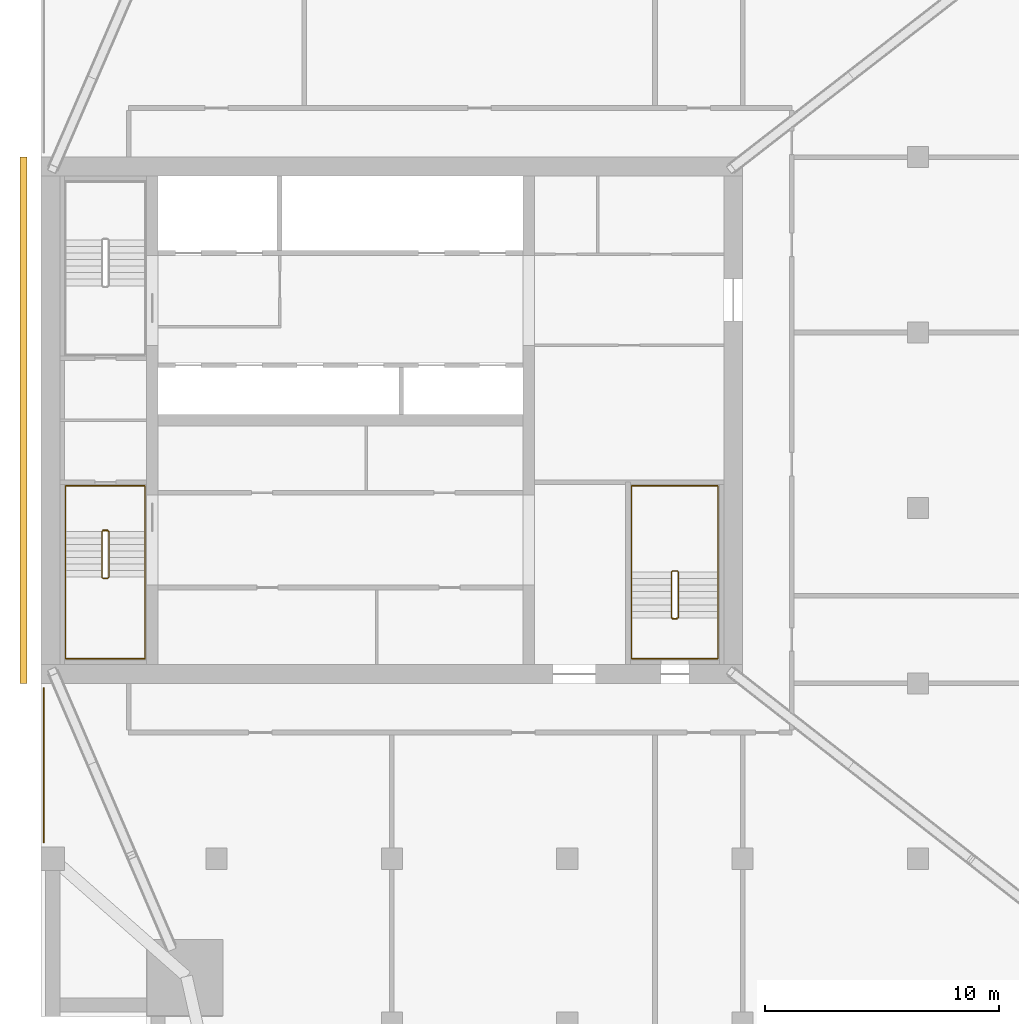
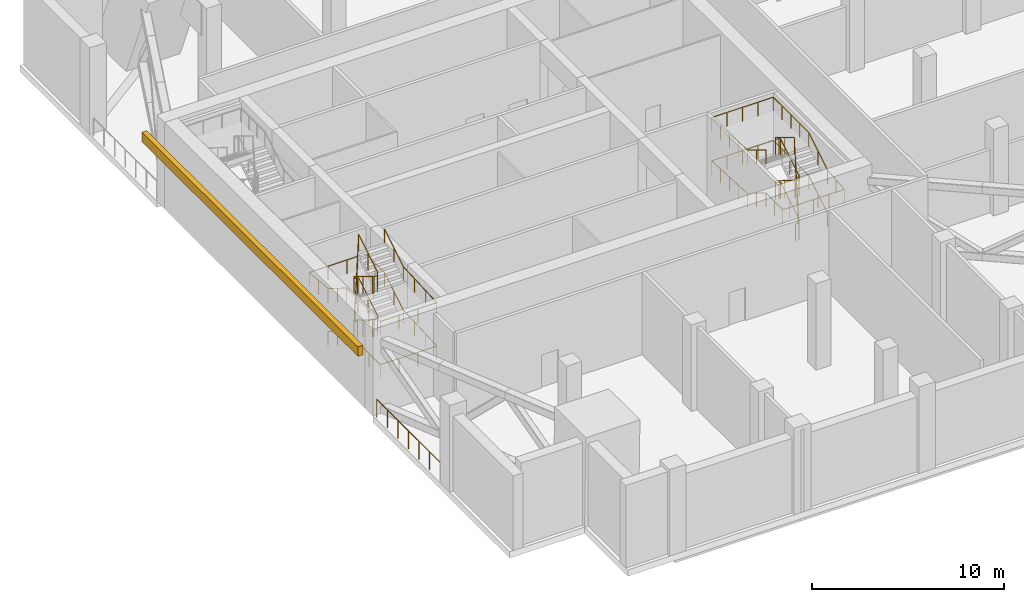
# One storey, part 8 of 9: 5 railings, 1 covering.
"""IFC4 building model written with IfcOpenShell, lengths in metres."""

import ifcopenshell
import ifcopenshell.guid

model = None  # the IFC model being written
_history = None  # IfcOwnerHistory: only IFC2X3 demands one
_inside = {}  # id of a spatial element -> (the spatial element, [elements in it])
_under = {}  # id of a project, library or spatial element -> (it, [spatial elements below it])
_declared = {}  # id of a project -> (the project, [libraries it declares])
_typed = {}  # id of a type object -> (the type object, [elements of that type])
_made_of = {}  # id of a material, layer set ... -> (it, [elements and type objects made of it])


def new_model(schema):
    """Start an empty IFC model of exactly this schema.

    Asked for "IFC4X3", IfcOpenShell would pick the latest addendum, in which some entities
    have other attributes; the version numbers below select the first issue.
    IFC2X3 requires an IfcOwnerHistory on every rooted entity: one is made here for all.
    """
    global model, _history
    if schema == "IFC4X3":
        model = ifcopenshell.file(schema_version=(4, 3, 0, 0))
    else:
        model = ifcopenshell.file(schema=schema)
    _inside.clear()
    _under.clear()
    _declared.clear()
    _typed.clear()
    _made_of.clear()
    _history = None
    if model.schema == "IFC2X3":
        org = make("IfcOrganization", Name="unknown")
        user = make(
            "IfcPersonAndOrganization",
            ThePerson=make("IfcPerson", FamilyName="unknown"),
            TheOrganization=org,
        )
        app = make(
            "IfcApplication",
            ApplicationDeveloper=org,
            Version="unknown",
            ApplicationFullName="unknown",
            ApplicationIdentifier="unknown",
        )
        _history = make(
            "IfcOwnerHistory",
            OwningUser=user,
            OwningApplication=app,
            ChangeAction="ADDED",
            CreationDate=0,
        )
    return model


def make(cls, **values):
    """One entity of the class cls with the attributes given. An attribute that is None is left unset."""
    return model.create_entity(
        cls, **{name: value for name, value in values.items() if value is not None}
    )


def rooted(cls, **values):
    """An entity with a GlobalId (a new one), such as an element, a storey or a relation."""
    return make(cls, GlobalId=ifcopenshell.guid.new(), OwnerHistory=_history, **values)


def si_unit(unit_type, name, prefix=None):
    """IfcSIUnit, for example si_unit("LENGTHUNIT", "METRE", prefix="MILLI")."""
    return make("IfcSIUnit", UnitType=unit_type, Prefix=prefix, Name=name)


def assignment(units):
    """IfcUnitAssignment: the units of a project."""
    return None if units is None else make("IfcUnitAssignment", Units=units)


def point(xyz):
    """IfcCartesianPoint."""
    return None if xyz is None else make("IfcCartesianPoint", Coordinates=xyz)


def direction(xyz):
    """IfcDirection."""
    return None if xyz is None else make("IfcDirection", DirectionRatios=xyz)


def frame(location, z_axis=None, x_axis=None):
    """IfcAxis2Placement3D, a coordinate frame: its origin and axes. An axis left out is left unset."""
    return make(
        "IfcAxis2Placement3D",
        Location=point(location),
        Axis=direction(z_axis),
        RefDirection=direction(x_axis),
    )


def frame_2d(location, x_axis=None):
    """IfcAxis2Placement2D, a coordinate frame in the plane: its origin and x axis."""
    return make(
        "IfcAxis2Placement2D", Location=point(location), RefDirection=direction(x_axis)
    )


def origin():
    """The frame at (0, 0, 0) with its axes left unset."""
    return frame((0.0, 0.0, 0.0))


def origin_2d():
    """The frame at (0, 0) in the plane with its x axis left unset."""
    return frame_2d((0.0, 0.0))


def place(relative_to, where):
    """IfcLocalPlacement: puts the frame where relative to a parent placement (None: the world)."""
    return make(
        "IfcLocalPlacement", PlacementRelTo=relative_to, RelativePlacement=where
    )


def context(
    kind, dimensions, precision=None, world=None, true_north=None, identifier=None
):
    """IfcGeometricRepresentationContext, for example the 3D "Model" context."""
    return make(
        "IfcGeometricRepresentationContext",
        ContextIdentifier=identifier,
        ContextType=kind,
        CoordinateSpaceDimension=dimensions,
        Precision=precision,
        WorldCoordinateSystem=world,
        TrueNorth=true_north,
    )


def subcontext(parent, identifier, kind, view, scale=None):
    """IfcGeometricRepresentationSubContext, for example "Body" below "Model"."""
    return make(
        "IfcGeometricRepresentationSubContext",
        ContextIdentifier=identifier,
        ContextType=kind,
        ParentContext=parent,
        TargetScale=scale,
        TargetView=view,
    )


def project(units=None, contexts=None):
    """IfcProject with its units and contexts."""
    return rooted(
        "IfcProject",
        Name="project",
        RepresentationContexts=contexts,
        UnitsInContext=assignment(units),
    )


def spatial(cls, under=None, at=None, **own):
    """A site, building, storey or space (cls), placed at a placement, below another one or the project."""
    s = rooted(cls, ObjectPlacement=at, **own)
    if under is not None:
        _under.setdefault(under.id(), (under, []))[1].append(s)
    return s


def polyline(points):
    """IfcPolyline through the points."""
    return make("IfcPolyline", Points=[point(p) for p in points])


def profile(cls, at=None, kind="AREA", **sizes):
    """A parametric profile (cls). Its sizes go by their IFC names, for example OverallWidth=200.0."""
    return make(cls, ProfileType=kind, Position=at, **sizes)


def circle(**sizes):
    """IfcCircleProfileDef."""
    return profile("IfcCircleProfileDef", **sizes)


def outline(outer, holes=None, kind="AREA"):
    """IfcArbitraryClosedProfileDef: a profile drawn as a closed curve; with holes, ...WithVoids."""
    if holes is None:
        return make("IfcArbitraryClosedProfileDef", ProfileType=kind, OuterCurve=outer)
    return make(
        "IfcArbitraryProfileDefWithVoids",
        ProfileType=kind,
        OuterCurve=outer,
        InnerCurves=holes,
    )


def extrude(swept, where, along, depth):
    """IfcExtrudedAreaSolid: the profile swept, set in the frame where, extruded along a direction by depth."""
    return make(
        "IfcExtrudedAreaSolid",
        SweptArea=swept,
        Position=where,
        ExtrudedDirection=direction(along),
        Depth=depth,
    )


def shape(context_of_items, identifier, shape_type, items):
    """IfcShapeRepresentation: the items that make up one representation, for example the "Body"."""
    return make(
        "IfcShapeRepresentation",
        ContextOfItems=context_of_items,
        RepresentationIdentifier=identifier,
        RepresentationType=shape_type,
        Items=items,
    )


def material(Name=None, Category=None):
    """IfcMaterial."""
    return make("IfcMaterial", Name=Name, Category=Category)


def layer(
    of_material, thickness, ventilated=None, Name=None, Category=None, Priority=None
):
    """IfcMaterialLayer: one layer of a wall or slab, of a material (None: an air gap)."""
    return make(
        "IfcMaterialLayer",
        Material=of_material,
        LayerThickness=thickness,
        IsVentilated=ventilated,
        Name=Name,
        Category=Category,
        Priority=Priority,
    )


def layer_set(layers, Name=None):
    """IfcMaterialLayerSet."""
    return make("IfcMaterialLayerSet", MaterialLayers=layers, LayerSetName=Name)


def made_of(thing, what):
    """Note that an element or type object is made of a material, layer set ...; save() writes the relation."""
    if what is not None:
        _made_of.setdefault(what.id(), (what, []))[1].append(thing)
    return thing


def type_object(cls, material=None, **own):
    """A type object (cls), such as IfcWallType, which elements share."""
    return made_of(rooted(cls, **own), material)


def element(
    cls,
    number,
    at=None,
    inside=None,
    cuts=None,
    type_object=None,
    material=None,
    context=None,
    identifier="Body",
    shape_type=None,
    held_by="IfcProductDefinitionShape",
    body=None,
    shapes=None,
    **own,
):
    """One element of the class cls, such as IfcWall. Its Tag is "e" and its number.

    at: its placement. inside: the storey or other place that contains it. cuts: it is an
    opening in that element (IfcRelVoidsElement). A single representation is given by context,
    identifier, shape_type and body (its items); several are given by shapes. held_by: the class
    of the entity that holds the representations. save() writes the other relations.
    """
    e = rooted(cls, Tag="e%d" % number, ObjectPlacement=at, **own)
    if body is not None:
        shapes = [shape(context, identifier, shape_type, body)]
    if shapes is not None:
        e.Representation = make(held_by, Representations=shapes)
    if inside is not None:
        _inside.setdefault(inside.id(), (inside, []))[1].append(e)
    if cuts is not None:
        rooted(
            "IfcRelVoidsElement", RelatingBuildingElement=cuts, RelatedOpeningElement=e
        )
    if type_object is not None:
        _typed.setdefault(type_object.id(), (type_object, []))[1].append(e)
    return made_of(e, material)


def aggregate(whole, parts):
    """IfcRelAggregates: a whole, such as a stair, and the parts it consists of."""
    return rooted("IfcRelAggregates", RelatingObject=whole, RelatedObjects=parts)


def save(model, path):
    """Write the relations noted so far, then the file.

    IfcRelAggregates (storeys below a building ...), IfcRelContainedInSpatialStructure (elements
    in a storey), IfcRelDefinesByType, IfcRelAssociatesMaterial and IfcRelDeclares: one each for
    every whole, place, type object, material and project.
    """
    for whole, parts in _under.values():
        aggregate(whole, parts)
    for where, things in _inside.values():
        rooted(
            "IfcRelContainedInSpatialStructure",
            RelatedElements=things,
            RelatingStructure=where,
        )
    for kind, things in _typed.values():
        rooted("IfcRelDefinesByType", RelatedObjects=things, RelatingType=kind)
    for what, things in _made_of.values():
        rooted("IfcRelAssociatesMaterial", RelatedObjects=things, RelatingMaterial=what)
    for by, libraries in _declared.values():
        rooted("IfcRelDeclares", RelatingContext=by, RelatedDefinitions=libraries)
    model.write(path)


model = new_model("IFC4")

# Units and contexts
model_context = context("Model", 3, precision=1e-05, world=origin(), true_north=direction((0.0, 1.0)))
body_context = subcontext(model_context, "Body", "Model", "MODEL_VIEW")
ifc_project = project(units=[si_unit("LENGTHUNIT", "METRE"), si_unit("AREAUNIT", "SQUARE_METRE"), si_unit("VOLUMEUNIT", "CUBIC_METRE"), si_unit("PLANEANGLEUNIT", "RADIAN"), si_unit("MASSUNIT", "GRAM", prefix="KILO")], contexts=[model_context])

# Site, building, storey
site_placement = place(None, origin())
site = spatial("IfcSite", under=ifc_project, at=site_placement, CompositionType="ELEMENT")
building_placement = place(site_placement, origin())
building = spatial("IfcBuilding", under=site, at=building_placement, Name="Tamorin Gate", CompositionType="ELEMENT")
storey_placement = place(building_placement, frame((0.0, 0.0, 214.199951171875)))
storey = spatial("IfcBuildingStorey", under=building, at=storey_placement, Name="L53", CompositionType="ELEMENT", Elevation=214.199951171875)

# Covering
ifc_material_1 = material(Name="Precast concrete C40/50", Category="concrete")
ifc_layer = layer(ifc_material_1, 0.300048828125)
ifc_layer_set = layer_set([ifc_layer], Name="Spine cornice 300")
covering_type = type_object("IfcCoveringType", Name="Spine cornice 300", PredefinedType="CLADDING", material=ifc_layer_set)
covering_placement = place(storey_placement, frame((0.0, 0.0, 4.10009765625)))
element("IfcCovering", 1, at=covering_placement, inside=storey, type_object=covering_type, Name="Spine cornice", PredefinedType="CLADDING", context=body_context, shape_type="SweptSolid", body=[
    extrude(outline(polyline([(29.10009765625, 60.0), (29.39990234375, 60.0), (29.39990234375, 82.5), (29.10009765625, 82.5), (29.10009765625, 60.0)])), origin(), (0.0, 0.0, 1.0), 0.599853515625),
])

# Railings
ifc_material_2 = material(Name="Painted steel balustrade", Category="steel")
railing_type_1 = type_object("IfcRailingType", Name="Stair guard 1100", PredefinedType="GUARDRAIL", material=ifc_material_2)
railing_1_placement = place(storey_placement, frame((32.60009765625, 66.5, 0.171875)))
element("IfcRailing", 2, at=railing_1_placement, inside=storey, type_object=railing_type_1, Name="L53 ST1 stair guard 1", PredefinedType="GUARDRAIL", context=body_context, shape_type="SweptSolid", body=[
    extrude(circle(Radius=0.02392578125, at=origin_2d()), frame((0.0, 0.0, 1.076171875), z_axis=(0.0, -0.852240978134, 0.523149419562), x_axis=(1.0, 0.0, 0.0)), (0.0, 0.0, 1.0), 2.2998046875),
    extrude(circle(Radius=0.02392578125, at=origin_2d()), frame((0.0, -1.9599609375, 2.279296875), z_axis=(0.705375805398, -0.708833529934, 0.0), x_axis=(0.708833529934, 0.705375805398, 0.0)), (0.0, 0.0, 1.0), 0.070556640625),
    extrude(circle(Radius=0.02392578125, at=origin_2d()), frame((0.0498046875, -2.010009765625, 2.279296875), z_axis=(1.0, 0.0, 0.0), x_axis=(0.0, 1.0, 0.0)), (0.0, 0.0, 1.0), 0.2001953125),
    extrude(circle(Radius=0.02392578125, at=origin_2d()), frame((0.25, -2.010009765625, 2.279296875), z_axis=(0.268036860282, 0.26935076646, 0.924989949209), x_axis=(-0.708833529934, 0.705375805398, 0.0)), (0.0, 0.0, 1.0), 0.185791015625),
    extrude(circle(Radius=0.02392578125, at=origin_2d()), frame((0.2998046875, -1.9599609375, 2.451171875), z_axis=(0.0, 0.852240978134, 0.523149419562), x_axis=(-1.0, 0.0, 0.0)), (0.0, 0.0, 1.0), 2.2998046875),
    extrude(circle(Radius=0.02392578125, at=origin_2d()), frame((0.2998046875, 0.0, 3.654296875), z_axis=(-0.98054382908, 0.196300278283, 0.0), x_axis=(-0.196300278283, -0.98054382908, 0.0)), (0.0, 0.0, 1.0), 0.2548828125),
    extrude(circle(Radius=0.02392578125, at=origin_2d()), frame((0.0498046875, 0.050048828125, 3.654296875), z_axis=(1.0, 0.0, 0.0), x_axis=(0.0, 1.0, 0.0)), (0.0, 0.0, 1.0), 0.2001953125),
    extrude(circle(Radius=0.02392578125, at=origin_2d()), frame((0.25, 0.050048828125, 3.654296875), z_axis=(-0.81305262559, -0.162769324459, 0.558973680093), x_axis=(0.196300278283, -0.98054382908, 0.0)), (0.0, 0.0, 1.0), 0.307373046875),
    extrude(circle(Radius=0.02392578125, at=origin_2d()), frame((0.0, 0.0, 3.826171875), z_axis=(0.0, -0.852240978134, 0.523149419562), x_axis=(1.0, 0.0, 0.0)), (0.0, 0.0, 1.0), 2.2998046875),
    extrude(circle(Radius=0.02392578125, at=origin_2d()), frame((0.0, -1.9599609375, 5.029296875), z_axis=(0.705375805398, -0.708833529934, 0.0), x_axis=(0.708833529934, 0.705375805398, 0.0)), (0.0, 0.0, 1.0), 0.070556640625),
    extrude(circle(Radius=0.02392578125, at=origin_2d()), frame((0.0498046875, -2.010009765625, 5.029296875), z_axis=(1.0, 0.0, 0.0), x_axis=(0.0, 1.0, 0.0)), (0.0, 0.0, 1.0), 0.2001953125),
    extrude(circle(Radius=0.02392578125, at=origin_2d()), frame((0.25, -2.010009765625, 5.029296875), z_axis=(0.268036860282, 0.26935076646, 0.924989949209), x_axis=(-0.708833529934, 0.705375805398, 0.0)), (0.0, 0.0, 1.0), 0.185791015625),
    extrude(circle(Radius=0.02392578125, at=origin_2d()), frame((0.2998046875, -1.9599609375, 5.201171875), z_axis=(0.0, 0.852240978134, 0.523149419562), x_axis=(-1.0, 0.0, 0.0)), (0.0, 0.0, 1.0), 2.2998046875),
    extrude(circle(Radius=0.02392578125, at=origin_2d()), frame((0.2998046875, 0.0, 6.404296875), z_axis=(-0.045405784895, 0.009090025296, -0.998927267692), x_axis=(-0.196300278283, -0.98054382908, 0.0)), (0.0, 0.0, 1.0), 5.505859375),
    extrude(circle(Radius=0.02392578125, at=origin_2d()), frame((0.0498046875, 0.050048828125, 0.904296875), z_axis=(1.0, 0.0, 0.0), x_axis=(0.0, 1.0, 0.0)), (0.0, 0.0, 1.0), 0.2001953125),
    extrude(circle(Radius=0.02099609375, at=origin_2d()), origin(), (0.0, 0.0, 1.0), 1.052001953125),
    extrude(circle(Radius=0.02099609375, at=origin_2d()), frame((0.0, -0.97998046875, 0.6015625)), (0.0, 0.0, 1.0), 1.052001953125),
    extrude(circle(Radius=0.02099609375, at=origin_2d()), frame((0.0, -1.9599609375, 1.203125)), (0.0, 0.0, 1.0), 1.052001953125),
    extrude(circle(Radius=0.02099609375, at=origin_2d()), frame((0.0498046875, -2.010009765625, 1.203125)), (0.0, 0.0, 1.0), 1.052001953125),
    extrude(circle(Radius=0.02099609375, at=origin_2d()), frame((0.25, -2.010009765625, 1.203125)), (0.0, 0.0, 1.0), 1.052001953125),
    extrude(circle(Radius=0.02099609375, at=origin_2d()), frame((0.2998046875, -1.9599609375, 1.375)), (0.0, 0.0, 1.0), 1.052001953125),
    extrude(circle(Radius=0.02099609375, at=origin_2d()), frame((0.2998046875, -0.97998046875, 1.9765625)), (0.0, 0.0, 1.0), 1.052001953125),
    extrude(circle(Radius=0.02099609375, at=origin_2d()), frame((0.2998046875, 0.0, 2.578125)), (0.0, 0.0, 1.0), 1.052001953125),
    extrude(circle(Radius=0.02099609375, at=origin_2d()), frame((0.0498046875, 0.050048828125, 2.578125)), (0.0, 0.0, 1.0), 1.052001953125),
    extrude(circle(Radius=0.02099609375, at=origin_2d()), frame((0.25, 0.050048828125, 2.578125)), (0.0, 0.0, 1.0), 1.052001953125),
    extrude(circle(Radius=0.02099609375, at=origin_2d()), frame((0.0, 0.0, 2.75)), (0.0, 0.0, 1.0), 1.052001953125),
    extrude(circle(Radius=0.02099609375, at=origin_2d()), frame((0.0, -0.97998046875, 3.3515625)), (0.0, 0.0, 1.0), 1.052001953125),
    extrude(circle(Radius=0.02099609375, at=origin_2d()), frame((0.0, -1.9599609375, 3.953125)), (0.0, 0.0, 1.0), 1.052001953125),
    extrude(circle(Radius=0.02099609375, at=origin_2d()), frame((0.0498046875, -2.010009765625, 3.953125)), (0.0, 0.0, 1.0), 1.052001953125),
    extrude(circle(Radius=0.02099609375, at=origin_2d()), frame((0.25, -2.010009765625, 3.953125)), (0.0, 0.0, 1.0), 1.052001953125),
    extrude(circle(Radius=0.02099609375, at=origin_2d()), frame((0.2998046875, -1.9599609375, 4.125)), (0.0, 0.0, 1.0), 1.052001953125),
    extrude(circle(Radius=0.02099609375, at=origin_2d()), frame((0.2998046875, -0.97998046875, 4.7265625)), (0.0, 0.0, 1.0), 1.052001953125),
    extrude(circle(Radius=0.02099609375, at=origin_2d()), frame((0.2998046875, 0.0, 5.328125)), (0.0, 0.0, 1.0), 1.052001953125),
    extrude(circle(Radius=0.02099609375, at=origin_2d()), frame((0.249755859375, 0.010009765625, 4.22802734375)), (0.0, 0.0, 1.0), 1.052001953125),
    extrude(circle(Radius=0.02099609375, at=origin_2d()), frame((0.19970703125, 0.02001953125, 3.128173828125)), (0.0, 0.0, 1.0), 1.052001953125),
    extrude(circle(Radius=0.02099609375, at=origin_2d()), frame((0.14990234375, 0.030029296875, 2.028076171875)), (0.0, 0.0, 1.0), 1.052001953125),
    extrude(circle(Radius=0.02099609375, at=origin_2d()), frame((0.099853515625, 0.0400390625, 0.92822265625)), (0.0, 0.0, 1.0), 1.052001953125),
    extrude(circle(Radius=0.02099609375, at=origin_2d()), frame((0.0498046875, 0.050048828125, -0.171875)), (0.0, 0.0, 1.0), 1.052001953125),
    extrude(circle(Radius=0.02099609375, at=origin_2d()), frame((0.25, 0.050048828125, -0.171875)), (0.0, 0.0, 1.0), 1.052001953125),
])
railing_2_placement = place(storey_placement, frame((57.25, 62.800048828125, 0.171875)))
element("IfcRailing", 3, at=railing_2_placement, inside=storey, type_object=railing_type_1, Name="L53 ST3 stair guard 1", PredefinedType="GUARDRAIL", context=body_context, shape_type="SweptSolid", body=[
    extrude(circle(Radius=0.02392578125, at=origin_2d()), frame((0.0, 0.0, 1.076171875), z_axis=(0.0, 0.852240978134, 0.523149419562), x_axis=(-1.0, 0.0, 0.0)), (0.0, 0.0, 1.0), 2.2998046875),
    extrude(circle(Radius=0.02392578125, at=origin_2d()), frame((0.0, 1.9599609375, 2.279296875), z_axis=(-0.707106781187, 0.707106781187, 0.0), x_axis=(-0.707106781187, -0.707106781187, 0.0)), (0.0, 0.0, 1.0), 0.07080078125),
    extrude(circle(Radius=0.02392578125, at=origin_2d()), frame((-0.050048828125, 2.010009765625, 2.279296875), z_axis=(-1.0, 0.0, 0.0), x_axis=(0.0, -1.0, 0.0)), (0.0, 0.0, 1.0), 0.199951171875),
    extrude(circle(Radius=0.02392578125, at=origin_2d()), frame((-0.25, 2.010009765625, 2.279296875), z_axis=(-0.269255725606, -0.269255725606, 0.92466356501), x_axis=(0.707106781187, -0.707106781187, 0.0)), (0.0, 0.0, 1.0), 0.185791015625),
    extrude(circle(Radius=0.02392578125, at=origin_2d()), frame((-0.300048828125, 1.9599609375, 2.451171875), z_axis=(0.0, -0.852240978134, 0.523149419562), x_axis=(1.0, 0.0, 0.0)), (0.0, 0.0, 1.0), 2.2998046875),
    extrude(circle(Radius=0.02392578125, at=origin_2d()), frame((-0.300048828125, 0.0, 3.654296875), z_axis=(0.98054382908, -0.196300278283, 0.0), x_axis=(0.196300278283, 0.98054382908, 0.0)), (0.0, 0.0, 1.0), 0.2548828125),
    extrude(circle(Radius=0.02392578125, at=origin_2d()), frame((-0.050048828125, -0.050048828125, 3.654296875), z_axis=(-1.0, 0.0, 0.0), x_axis=(0.0, -1.0, 0.0)), (0.0, 0.0, 1.0), 0.199951171875),
    extrude(circle(Radius=0.02392578125, at=origin_2d()), frame((-0.25, -0.050048828125, 3.654296875), z_axis=(0.81305262559, 0.162769324459, 0.558973680093), x_axis=(-0.196300278283, 0.98054382908, 0.0)), (0.0, 0.0, 1.0), 0.307373046875),
    extrude(circle(Radius=0.02392578125, at=origin_2d()), frame((0.0, 0.0, 3.826171875), z_axis=(0.0, 0.852240978134, 0.523149419562), x_axis=(-1.0, 0.0, 0.0)), (0.0, 0.0, 1.0), 2.2998046875),
    extrude(circle(Radius=0.02392578125, at=origin_2d()), frame((0.0, 1.9599609375, 5.029296875), z_axis=(-0.707106781187, 0.707106781187, 0.0), x_axis=(-0.707106781187, -0.707106781187, 0.0)), (0.0, 0.0, 1.0), 0.07080078125),
    extrude(circle(Radius=0.02392578125, at=origin_2d()), frame((-0.050048828125, 2.010009765625, 5.029296875), z_axis=(-1.0, 0.0, 0.0), x_axis=(0.0, -1.0, 0.0)), (0.0, 0.0, 1.0), 0.199951171875),
    extrude(circle(Radius=0.02392578125, at=origin_2d()), frame((-0.25, 2.010009765625, 5.029296875), z_axis=(-0.269255725606, -0.269255725606, 0.92466356501), x_axis=(0.707106781187, -0.707106781187, 0.0)), (0.0, 0.0, 1.0), 0.185791015625),
    extrude(circle(Radius=0.02392578125, at=origin_2d()), frame((-0.300048828125, 1.9599609375, 5.201171875), z_axis=(0.0, -0.852240978134, 0.523149419562), x_axis=(1.0, 0.0, 0.0)), (0.0, 0.0, 1.0), 2.2998046875),
    extrude(circle(Radius=0.02392578125, at=origin_2d()), frame((-0.300048828125, 0.0, 6.404296875), z_axis=(0.045405784895, -0.009090025296, -0.998927267692), x_axis=(0.196300278283, 0.98054382908, 0.0)), (0.0, 0.0, 1.0), 5.505859375),
    extrude(circle(Radius=0.02392578125, at=origin_2d()), frame((-0.050048828125, -0.050048828125, 0.904296875), z_axis=(-1.0, 0.0, 0.0), x_axis=(0.0, -1.0, 0.0)), (0.0, 0.0, 1.0), 0.199951171875),
    extrude(circle(Radius=0.02099609375, at=origin_2d()), origin(), (0.0, 0.0, 1.0), 1.052001953125),
    extrude(circle(Radius=0.02099609375, at=origin_2d()), frame((0.0, 0.97998046875, 0.6015625)), (0.0, 0.0, 1.0), 1.052001953125),
    extrude(circle(Radius=0.02099609375, at=origin_2d()), frame((0.0, 1.9599609375, 1.203125)), (0.0, 0.0, 1.0), 1.052001953125),
    extrude(circle(Radius=0.02099609375, at=origin_2d()), frame((-0.050048828125, 2.010009765625, 1.203125)), (0.0, 0.0, 1.0), 1.052001953125),
    extrude(circle(Radius=0.02099609375, at=origin_2d()), frame((-0.25, 2.010009765625, 1.203125)), (0.0, 0.0, 1.0), 1.052001953125),
    extrude(circle(Radius=0.02099609375, at=origin_2d()), frame((-0.300048828125, 1.9599609375, 1.375)), (0.0, 0.0, 1.0), 1.052001953125),
    extrude(circle(Radius=0.02099609375, at=origin_2d()), frame((-0.300048828125, 0.97998046875, 1.9765625)), (0.0, 0.0, 1.0), 1.052001953125),
    extrude(circle(Radius=0.02099609375, at=origin_2d()), frame((-0.300048828125, 0.0, 2.578125)), (0.0, 0.0, 1.0), 1.052001953125),
    extrude(circle(Radius=0.02099609375, at=origin_2d()), frame((-0.050048828125, -0.050048828125, 2.578125)), (0.0, 0.0, 1.0), 1.052001953125),
    extrude(circle(Radius=0.02099609375, at=origin_2d()), frame((-0.25, -0.050048828125, 2.578125)), (0.0, 0.0, 1.0), 1.052001953125),
    extrude(circle(Radius=0.02099609375, at=origin_2d()), frame((0.0, 0.0, 2.75)), (0.0, 0.0, 1.0), 1.052001953125),
    extrude(circle(Radius=0.02099609375, at=origin_2d()), frame((0.0, 0.97998046875, 3.3515625)), (0.0, 0.0, 1.0), 1.052001953125),
    extrude(circle(Radius=0.02099609375, at=origin_2d()), frame((0.0, 1.9599609375, 3.953125)), (0.0, 0.0, 1.0), 1.052001953125),
    extrude(circle(Radius=0.02099609375, at=origin_2d()), frame((-0.050048828125, 2.010009765625, 3.953125)), (0.0, 0.0, 1.0), 1.052001953125),
    extrude(circle(Radius=0.02099609375, at=origin_2d()), frame((-0.25, 2.010009765625, 3.953125)), (0.0, 0.0, 1.0), 1.052001953125),
    extrude(circle(Radius=0.02099609375, at=origin_2d()), frame((-0.300048828125, 1.9599609375, 4.125)), (0.0, 0.0, 1.0), 1.052001953125),
    extrude(circle(Radius=0.02099609375, at=origin_2d()), frame((-0.300048828125, 0.97998046875, 4.7265625)), (0.0, 0.0, 1.0), 1.052001953125),
    extrude(circle(Radius=0.02099609375, at=origin_2d()), frame((-0.300048828125, 0.0, 5.328125)), (0.0, 0.0, 1.0), 1.052001953125),
    extrude(circle(Radius=0.02099609375, at=origin_2d()), frame((-0.25, -0.010009765625, 4.22802734375)), (0.0, 0.0, 1.0), 1.052001953125),
    extrude(circle(Radius=0.02099609375, at=origin_2d()), frame((-0.199951171875, -0.02001953125, 3.128173828125)), (0.0, 0.0, 1.0), 1.052001953125),
    extrude(circle(Radius=0.02099609375, at=origin_2d()), frame((-0.150146484375, -0.030029296875, 2.028076171875)), (0.0, 0.0, 1.0), 1.052001953125),
    extrude(circle(Radius=0.02099609375, at=origin_2d()), frame((-0.10009765625, -0.0400390625, 0.92822265625)), (0.0, 0.0, 1.0), 1.052001953125),
    extrude(circle(Radius=0.02099609375, at=origin_2d()), frame((-0.050048828125, -0.050048828125, -0.171875)), (0.0, 0.0, 1.0), 1.052001953125),
    extrude(circle(Radius=0.02099609375, at=origin_2d()), frame((-0.25, -0.050048828125, -0.171875)), (0.0, 0.0, 1.0), 1.052001953125),
])
ifc_material_3 = material(Name="Painted steel handrail", Category="steel")
railing_type_2 = type_object("IfcRailingType", Name="Stair handrail 900", PredefinedType="HANDRAIL", material=ifc_material_3)
railing_3_placement = place(storey_placement, frame((31.050048828125, 66.5, 0.171875)))
element("IfcRailing", 4, at=railing_3_placement, inside=storey, type_object=railing_type_2, Name="L53 ST1 stair handrail 1", PredefinedType="HANDRAIL", context=body_context, shape_type="SweptSolid", body=[
    extrude(circle(Radius=0.02392578125, at=origin_2d()), frame((0.0, 0.0, 0.8759765625), z_axis=(0.0, -0.852240978134, 0.523149419562), x_axis=(1.0, 0.0, 0.0)), (0.0, 0.0, 1.0), 2.2998046875),
    extrude(circle(Radius=0.02392578125, at=origin_2d()), frame((0.0, -1.9599609375, 2.0791015625), z_axis=(0.0, -1.0, 0.0), x_axis=(1.0, 0.0, 0.0)), (0.0, 0.0, 1.0), 3.489990234375),
    extrude(circle(Radius=0.02392578125, at=origin_2d()), frame((0.0, -5.449951171875, 2.0791015625), z_axis=(1.0, 0.0, 0.0), x_axis=(0.0, 1.0, 0.0)), (0.0, 0.0, 1.0), 3.39990234375),
    extrude(circle(Radius=0.02392578125, at=origin_2d()), frame((3.39990234375, -5.449951171875, 2.0791015625), z_axis=(0.0, 0.998789519247, 0.049188375065), x_axis=(-1.0, 0.0, 0.0)), (0.0, 0.0, 1.0), 3.494140625),
    extrude(circle(Radius=0.02392578125, at=origin_2d()), frame((3.39990234375, -1.9599609375, 2.2509765625), z_axis=(0.0, 0.852240978134, 0.523149419562), x_axis=(-1.0, 0.0, 0.0)), (0.0, 0.0, 1.0), 2.2998046875),
    extrude(circle(Radius=0.02392578125, at=origin_2d()), frame((3.39990234375, 0.0, 3.4541015625), z_axis=(0.0, 1.0, 0.0), x_axis=(-1.0, 0.0, 0.0)), (0.0, 0.0, 1.0), 1.949951171875),
    extrude(circle(Radius=0.02392578125, at=origin_2d()), frame((3.39990234375, 1.949951171875, 3.4541015625), z_axis=(-1.0, 0.0, 0.0), x_axis=(0.0, -1.0, 0.0)), (0.0, 0.0, 1.0), 3.39990234375),
    extrude(circle(Radius=0.02392578125, at=origin_2d()), frame((0.0, 1.949951171875, 3.4541015625), z_axis=(0.0, -0.996137875047, 0.087802812575), x_axis=(1.0, 0.0, 0.0)), (0.0, 0.0, 1.0), 1.95751953125),
    extrude(circle(Radius=0.02392578125, at=origin_2d()), frame((0.0, 0.0, 3.6259765625), z_axis=(0.0, -0.852240978134, 0.523149419562), x_axis=(1.0, 0.0, 0.0)), (0.0, 0.0, 1.0), 2.2998046875),
    extrude(circle(Radius=0.02392578125, at=origin_2d()), frame((0.0, -1.9599609375, 4.8291015625), z_axis=(0.0, -1.0, 0.0), x_axis=(1.0, 0.0, 0.0)), (0.0, 0.0, 1.0), 3.489990234375),
    extrude(circle(Radius=0.02392578125, at=origin_2d()), frame((0.0, -5.449951171875, 4.8291015625), z_axis=(1.0, 0.0, 0.0), x_axis=(0.0, 1.0, 0.0)), (0.0, 0.0, 1.0), 3.39990234375),
    extrude(circle(Radius=0.02392578125, at=origin_2d()), frame((3.39990234375, -5.449951171875, 4.8291015625), z_axis=(0.0, 0.998789519247, 0.049188375065), x_axis=(-1.0, 0.0, 0.0)), (0.0, 0.0, 1.0), 3.494140625),
    extrude(circle(Radius=0.02392578125, at=origin_2d()), frame((3.39990234375, -1.9599609375, 5.0009765625), z_axis=(0.0, 0.852240978134, 0.523149419562), x_axis=(-1.0, 0.0, 0.0)), (0.0, 0.0, 1.0), 2.2998046875),
    extrude(circle(Radius=0.02099609375, at=origin_2d()), origin(), (0.0, 0.0, 1.0), 0.851806640625),
    extrude(circle(Radius=0.02099609375, at=origin_2d()), frame((0.0, -0.97998046875, 0.6015625)), (0.0, 0.0, 1.0), 0.851806640625),
    extrude(circle(Radius=0.02099609375, at=origin_2d()), frame((0.0, -1.9599609375, 1.203125)), (0.0, 0.0, 1.0), 0.851806640625),
    extrude(circle(Radius=0.02099609375, at=origin_2d()), frame((0.0, -3.123291015625, 1.203125)), (0.0, 0.0, 1.0), 0.851806640625),
    extrude(circle(Radius=0.02099609375, at=origin_2d()), frame((0.0, -4.28662109375, 1.203125)), (0.0, 0.0, 1.0), 0.851806640625),
    extrude(circle(Radius=0.02099609375, at=origin_2d()), frame((0.0, -5.449951171875, 1.203125)), (0.0, 0.0, 1.0), 0.851806640625),
    extrude(circle(Radius=0.02099609375, at=origin_2d()), frame((1.13330078125, -5.449951171875, 1.203125)), (0.0, 0.0, 1.0), 0.851806640625),
    extrude(circle(Radius=0.02099609375, at=origin_2d()), frame((2.2666015625, -5.449951171875, 1.203125)), (0.0, 0.0, 1.0), 0.851806640625),
    extrude(circle(Radius=0.02099609375, at=origin_2d()), frame((3.39990234375, -5.449951171875, 1.203125)), (0.0, 0.0, 1.0), 0.851806640625),
    extrude(circle(Radius=0.02099609375, at=origin_2d()), frame((3.39990234375, -4.28662109375, 1.260498046875)), (0.0, 0.0, 1.0), 0.851806640625),
    extrude(circle(Radius=0.02099609375, at=origin_2d()), frame((3.39990234375, -3.123291015625, 1.317626953125)), (0.0, 0.0, 1.0), 0.851806640625),
    extrude(circle(Radius=0.02099609375, at=origin_2d()), frame((3.39990234375, -1.9599609375, 1.375)), (0.0, 0.0, 1.0), 0.851806640625),
    extrude(circle(Radius=0.02099609375, at=origin_2d()), frame((3.39990234375, -0.97998046875, 1.9765625)), (0.0, 0.0, 1.0), 0.851806640625),
    extrude(circle(Radius=0.02099609375, at=origin_2d()), frame((3.39990234375, 0.0, 2.578125)), (0.0, 0.0, 1.0), 0.851806640625),
    extrude(circle(Radius=0.02099609375, at=origin_2d()), frame((3.39990234375, 0.97509765625, 2.578125)), (0.0, 0.0, 1.0), 0.851806640625),
    extrude(circle(Radius=0.02099609375, at=origin_2d()), frame((3.39990234375, 1.949951171875, 2.578125)), (0.0, 0.0, 1.0), 0.851806640625),
    extrude(circle(Radius=0.02099609375, at=origin_2d()), frame((2.2666015625, 1.949951171875, 2.578125)), (0.0, 0.0, 1.0), 0.851806640625),
    extrude(circle(Radius=0.02099609375, at=origin_2d()), frame((1.13330078125, 1.949951171875, 2.578125)), (0.0, 0.0, 1.0), 0.851806640625),
    extrude(circle(Radius=0.02099609375, at=origin_2d()), frame((0.0, 1.949951171875, 2.578125)), (0.0, 0.0, 1.0), 0.851806640625),
    extrude(circle(Radius=0.02099609375, at=origin_2d()), frame((0.0, 0.97509765625, 2.6640625)), (0.0, 0.0, 1.0), 0.851806640625),
    extrude(circle(Radius=0.02099609375, at=origin_2d()), frame((0.0, 0.0, 2.75)), (0.0, 0.0, 1.0), 0.851806640625),
    extrude(circle(Radius=0.02099609375, at=origin_2d()), frame((0.0, -0.97998046875, 3.3515625)), (0.0, 0.0, 1.0), 0.851806640625),
    extrude(circle(Radius=0.02099609375, at=origin_2d()), frame((0.0, -1.9599609375, 3.953125)), (0.0, 0.0, 1.0), 0.851806640625),
    extrude(circle(Radius=0.02099609375, at=origin_2d()), frame((0.0, -3.123291015625, 3.953125)), (0.0, 0.0, 1.0), 0.851806640625),
    extrude(circle(Radius=0.02099609375, at=origin_2d()), frame((0.0, -4.28662109375, 3.953125)), (0.0, 0.0, 1.0), 0.851806640625),
    extrude(circle(Radius=0.02099609375, at=origin_2d()), frame((0.0, -5.449951171875, 3.953125)), (0.0, 0.0, 1.0), 0.851806640625),
    extrude(circle(Radius=0.02099609375, at=origin_2d()), frame((1.13330078125, -5.449951171875, 3.953125)), (0.0, 0.0, 1.0), 0.851806640625),
    extrude(circle(Radius=0.02099609375, at=origin_2d()), frame((2.2666015625, -5.449951171875, 3.953125)), (0.0, 0.0, 1.0), 0.851806640625),
    extrude(circle(Radius=0.02099609375, at=origin_2d()), frame((3.39990234375, -5.449951171875, 3.953125)), (0.0, 0.0, 1.0), 0.851806640625),
    extrude(circle(Radius=0.02099609375, at=origin_2d()), frame((3.39990234375, -4.28662109375, 4.010498046875)), (0.0, 0.0, 1.0), 0.851806640625),
    extrude(circle(Radius=0.02099609375, at=origin_2d()), frame((3.39990234375, -3.123291015625, 4.067626953125)), (0.0, 0.0, 1.0), 0.851806640625),
    extrude(circle(Radius=0.02099609375, at=origin_2d()), frame((3.39990234375, -1.9599609375, 4.125)), (0.0, 0.0, 1.0), 0.851806640625),
    extrude(circle(Radius=0.02099609375, at=origin_2d()), frame((3.39990234375, -0.97998046875, 4.7265625)), (0.0, 0.0, 1.0), 0.851806640625),
    extrude(circle(Radius=0.02099609375, at=origin_2d()), frame((3.39990234375, 0.0, 5.328125)), (0.0, 0.0, 1.0), 0.851806640625),
])
railing_4_placement = place(storey_placement, frame((58.949951171875, 62.800048828125, 0.171875)))
element("IfcRailing", 5, at=railing_4_placement, inside=storey, type_object=railing_type_2, Name="L53 ST3 stair handrail 1", PredefinedType="HANDRAIL", context=body_context, shape_type="SweptSolid", body=[
    extrude(circle(Radius=0.02392578125, at=origin_2d()), frame((0.0, 0.0, 0.8759765625), z_axis=(0.0, 0.852240978134, 0.523149419562), x_axis=(-1.0, 0.0, 0.0)), (0.0, 0.0, 1.0), 2.2998046875),
    extrude(circle(Radius=0.02392578125, at=origin_2d()), frame((0.0, 1.9599609375, 2.0791015625), z_axis=(0.0, 1.0, 0.0), x_axis=(-1.0, 0.0, 0.0)), (0.0, 0.0, 1.0), 3.68994140625),
    extrude(circle(Radius=0.02392578125, at=origin_2d()), frame((0.0, 5.64990234375, 2.0791015625), z_axis=(-1.0, 0.0, 0.0), x_axis=(0.0, -1.0, 0.0)), (0.0, 0.0, 1.0), 3.699951171875),
    extrude(circle(Radius=0.02392578125, at=origin_2d()), frame((-3.699951171875, 5.64990234375, 2.0791015625), z_axis=(0.0, -0.998916945045, 0.046528882448), x_axis=(1.0, 0.0, 0.0)), (0.0, 0.0, 1.0), 3.69384765625),
    extrude(circle(Radius=0.02392578125, at=origin_2d()), frame((-3.699951171875, 1.9599609375, 2.2509765625), z_axis=(0.0, -0.852240978134, 0.523149419562), x_axis=(1.0, 0.0, 0.0)), (0.0, 0.0, 1.0), 2.2998046875),
    extrude(circle(Radius=0.02392578125, at=origin_2d()), frame((-3.699951171875, 0.0, 3.4541015625), z_axis=(0.0, -1.0, 0.0), x_axis=(1.0, 0.0, 0.0)), (0.0, 0.0, 1.0), 1.75),
    extrude(circle(Radius=0.02392578125, at=origin_2d()), frame((-3.699951171875, -1.75, 3.4541015625), z_axis=(1.0, 0.0, 0.0), x_axis=(0.0, 1.0, 0.0)), (0.0, 0.0, 1.0), 3.699951171875),
    extrude(circle(Radius=0.02392578125, at=origin_2d()), frame((0.0, -1.75, 3.4541015625), z_axis=(0.0, 0.995211591236, 0.097743995568), x_axis=(-1.0, 0.0, 0.0)), (0.0, 0.0, 1.0), 1.75830078125),
    extrude(circle(Radius=0.02392578125, at=origin_2d()), frame((0.0, 0.0, 3.6259765625), z_axis=(0.0, 0.852240978134, 0.523149419562), x_axis=(-1.0, 0.0, 0.0)), (0.0, 0.0, 1.0), 2.2998046875),
    extrude(circle(Radius=0.02392578125, at=origin_2d()), frame((0.0, 1.9599609375, 4.8291015625), z_axis=(0.0, 1.0, 0.0), x_axis=(-1.0, 0.0, 0.0)), (0.0, 0.0, 1.0), 3.68994140625),
    extrude(circle(Radius=0.02392578125, at=origin_2d()), frame((0.0, 5.64990234375, 4.8291015625), z_axis=(-1.0, 0.0, 0.0), x_axis=(0.0, -1.0, 0.0)), (0.0, 0.0, 1.0), 3.699951171875),
    extrude(circle(Radius=0.02392578125, at=origin_2d()), frame((-3.699951171875, 5.64990234375, 4.8291015625), z_axis=(0.0, -0.998916945045, 0.046528882448), x_axis=(1.0, 0.0, 0.0)), (0.0, 0.0, 1.0), 3.69384765625),
    extrude(circle(Radius=0.02392578125, at=origin_2d()), frame((-3.699951171875, 1.9599609375, 5.0009765625), z_axis=(0.0, -0.852240978134, 0.523149419562), x_axis=(1.0, 0.0, 0.0)), (0.0, 0.0, 1.0), 2.2998046875),
    extrude(circle(Radius=0.02099609375, at=origin_2d()), origin(), (0.0, 0.0, 1.0), 0.851806640625),
    extrude(circle(Radius=0.02099609375, at=origin_2d()), frame((0.0, 0.97998046875, 0.6015625)), (0.0, 0.0, 1.0), 0.851806640625),
    extrude(circle(Radius=0.02099609375, at=origin_2d()), frame((0.0, 1.9599609375, 1.203125)), (0.0, 0.0, 1.0), 0.851806640625),
    extrude(circle(Radius=0.02099609375, at=origin_2d()), frame((0.0, 2.88232421875, 1.203125)), (0.0, 0.0, 1.0), 0.851806640625),
    extrude(circle(Radius=0.02099609375, at=origin_2d()), frame((0.0, 3.804931640625, 1.203125)), (0.0, 0.0, 1.0), 0.851806640625),
    extrude(circle(Radius=0.02099609375, at=origin_2d()), frame((0.0, 4.7275390625, 1.203125)), (0.0, 0.0, 1.0), 0.851806640625),
    extrude(circle(Radius=0.02099609375, at=origin_2d()), frame((0.0, 5.64990234375, 1.203125)), (0.0, 0.0, 1.0), 0.851806640625),
    extrude(circle(Radius=0.02099609375, at=origin_2d()), frame((-0.925048828125, 5.64990234375, 1.203125)), (0.0, 0.0, 1.0), 0.851806640625),
    extrude(circle(Radius=0.02099609375, at=origin_2d()), frame((-1.85009765625, 5.64990234375, 1.203125)), (0.0, 0.0, 1.0), 0.851806640625),
    extrude(circle(Radius=0.02099609375, at=origin_2d()), frame((-2.77490234375, 5.64990234375, 1.203125)), (0.0, 0.0, 1.0), 0.851806640625),
    extrude(circle(Radius=0.02099609375, at=origin_2d()), frame((-3.699951171875, 5.64990234375, 1.203125)), (0.0, 0.0, 1.0), 0.851806640625),
    extrude(circle(Radius=0.02099609375, at=origin_2d()), frame((-3.699951171875, 4.7275390625, 1.24609375)), (0.0, 0.0, 1.0), 0.851806640625),
    extrude(circle(Radius=0.02099609375, at=origin_2d()), frame((-3.699951171875, 3.804931640625, 1.2890625)), (0.0, 0.0, 1.0), 0.851806640625),
    extrude(circle(Radius=0.02099609375, at=origin_2d()), frame((-3.699951171875, 2.88232421875, 1.33203125)), (0.0, 0.0, 1.0), 0.851806640625),
    extrude(circle(Radius=0.02099609375, at=origin_2d()), frame((-3.699951171875, 1.9599609375, 1.375)), (0.0, 0.0, 1.0), 0.851806640625),
    extrude(circle(Radius=0.02099609375, at=origin_2d()), frame((-3.699951171875, 0.97998046875, 1.9765625)), (0.0, 0.0, 1.0), 0.851806640625),
    extrude(circle(Radius=0.02099609375, at=origin_2d()), frame((-3.699951171875, 0.0, 2.578125)), (0.0, 0.0, 1.0), 0.851806640625),
    extrude(circle(Radius=0.02099609375, at=origin_2d()), frame((-3.699951171875, -0.875, 2.578125)), (0.0, 0.0, 1.0), 0.851806640625),
    extrude(circle(Radius=0.02099609375, at=origin_2d()), frame((-3.699951171875, -1.75, 2.578125)), (0.0, 0.0, 1.0), 0.851806640625),
    extrude(circle(Radius=0.02099609375, at=origin_2d()), frame((-2.77490234375, -1.75, 2.578125)), (0.0, 0.0, 1.0), 0.851806640625),
    extrude(circle(Radius=0.02099609375, at=origin_2d()), frame((-1.85009765625, -1.75, 2.578125)), (0.0, 0.0, 1.0), 0.851806640625),
    extrude(circle(Radius=0.02099609375, at=origin_2d()), frame((-0.925048828125, -1.75, 2.578125)), (0.0, 0.0, 1.0), 0.851806640625),
    extrude(circle(Radius=0.02099609375, at=origin_2d()), frame((0.0, -1.75, 2.578125)), (0.0, 0.0, 1.0), 0.851806640625),
    extrude(circle(Radius=0.02099609375, at=origin_2d()), frame((0.0, -0.875, 2.6640625)), (0.0, 0.0, 1.0), 0.851806640625),
    extrude(circle(Radius=0.02099609375, at=origin_2d()), frame((0.0, 0.0, 2.75)), (0.0, 0.0, 1.0), 0.851806640625),
    extrude(circle(Radius=0.02099609375, at=origin_2d()), frame((0.0, 0.97998046875, 3.3515625)), (0.0, 0.0, 1.0), 0.851806640625),
    extrude(circle(Radius=0.02099609375, at=origin_2d()), frame((0.0, 1.9599609375, 3.953125)), (0.0, 0.0, 1.0), 0.851806640625),
    extrude(circle(Radius=0.02099609375, at=origin_2d()), frame((0.0, 2.88232421875, 3.953125)), (0.0, 0.0, 1.0), 0.851806640625),
    extrude(circle(Radius=0.02099609375, at=origin_2d()), frame((0.0, 3.804931640625, 3.953125)), (0.0, 0.0, 1.0), 0.851806640625),
    extrude(circle(Radius=0.02099609375, at=origin_2d()), frame((0.0, 4.7275390625, 3.953125)), (0.0, 0.0, 1.0), 0.851806640625),
    extrude(circle(Radius=0.02099609375, at=origin_2d()), frame((0.0, 5.64990234375, 3.953125)), (0.0, 0.0, 1.0), 0.851806640625),
    extrude(circle(Radius=0.02099609375, at=origin_2d()), frame((-0.925048828125, 5.64990234375, 3.953125)), (0.0, 0.0, 1.0), 0.851806640625),
    extrude(circle(Radius=0.02099609375, at=origin_2d()), frame((-1.85009765625, 5.64990234375, 3.953125)), (0.0, 0.0, 1.0), 0.851806640625),
    extrude(circle(Radius=0.02099609375, at=origin_2d()), frame((-2.77490234375, 5.64990234375, 3.953125)), (0.0, 0.0, 1.0), 0.851806640625),
    extrude(circle(Radius=0.02099609375, at=origin_2d()), frame((-3.699951171875, 5.64990234375, 3.953125)), (0.0, 0.0, 1.0), 0.851806640625),
    extrude(circle(Radius=0.02099609375, at=origin_2d()), frame((-3.699951171875, 4.7275390625, 3.99609375)), (0.0, 0.0, 1.0), 0.851806640625),
    extrude(circle(Radius=0.02099609375, at=origin_2d()), frame((-3.699951171875, 3.804931640625, 4.0390625)), (0.0, 0.0, 1.0), 0.851806640625),
    extrude(circle(Radius=0.02099609375, at=origin_2d()), frame((-3.699951171875, 2.88232421875, 4.08203125)), (0.0, 0.0, 1.0), 0.851806640625),
    extrude(circle(Radius=0.02099609375, at=origin_2d()), frame((-3.699951171875, 1.9599609375, 4.125)), (0.0, 0.0, 1.0), 0.851806640625),
    extrude(circle(Radius=0.02099609375, at=origin_2d()), frame((-3.699951171875, 0.97998046875, 4.7265625)), (0.0, 0.0, 1.0), 0.851806640625),
    extrude(circle(Radius=0.02099609375, at=origin_2d()), frame((-3.699951171875, 0.0, 5.328125)), (0.0, 0.0, 1.0), 0.851806640625),
])
ifc_material_4 = material(Name="Stainless steel", Category="steel")
railing_type_3 = type_object("IfcRailingType", Name="Terrace guard 1150", PredefinedType="GUARDRAIL", material=ifc_material_4)
railing_5_placement = place(storey_placement, frame((30.1201171875, 53.199951171875, 0.0)))
element("IfcRailing", 6, at=railing_5_placement, inside=storey, type_object=railing_type_3, Name="Deck edge guard", PredefinedType="GUARDRAIL", context=body_context, shape_type="SweptSolid", body=[
    extrude(circle(Radius=0.02392578125, at=origin_2d()), frame((0.0, 0.0, 1.1259765625), z_axis=(0.0, 1.0, 0.0), x_axis=(-1.0, 0.0, 0.0)), (0.0, 0.0, 1.0), 6.60009765625),
    extrude(circle(Radius=0.02099609375, at=origin_2d()), origin(), (0.0, 0.0, 1.0), 1.101806640625),
    extrude(circle(Radius=0.02099609375, at=origin_2d()), frame((0.0, 1.10009765625, 0.0)), (0.0, 0.0, 1.0), 1.101806640625),
    extrude(circle(Radius=0.02099609375, at=origin_2d()), frame((0.0, 2.199951171875, 0.0)), (0.0, 0.0, 1.0), 1.101806640625),
    extrude(circle(Radius=0.02099609375, at=origin_2d()), frame((0.0, 3.300048828125, 0.0)), (0.0, 0.0, 1.0), 1.101806640625),
    extrude(circle(Radius=0.02099609375, at=origin_2d()), frame((0.0, 4.400146484375, 0.0)), (0.0, 0.0, 1.0), 1.101806640625),
    extrude(circle(Radius=0.02099609375, at=origin_2d()), frame((0.0, 5.5, 0.0)), (0.0, 0.0, 1.0), 1.101806640625),
    extrude(circle(Radius=0.02099609375, at=origin_2d()), frame((0.0, 6.60009765625, 0.0)), (0.0, 0.0, 1.0), 1.101806640625),
])

save(model, "model.ifc")
